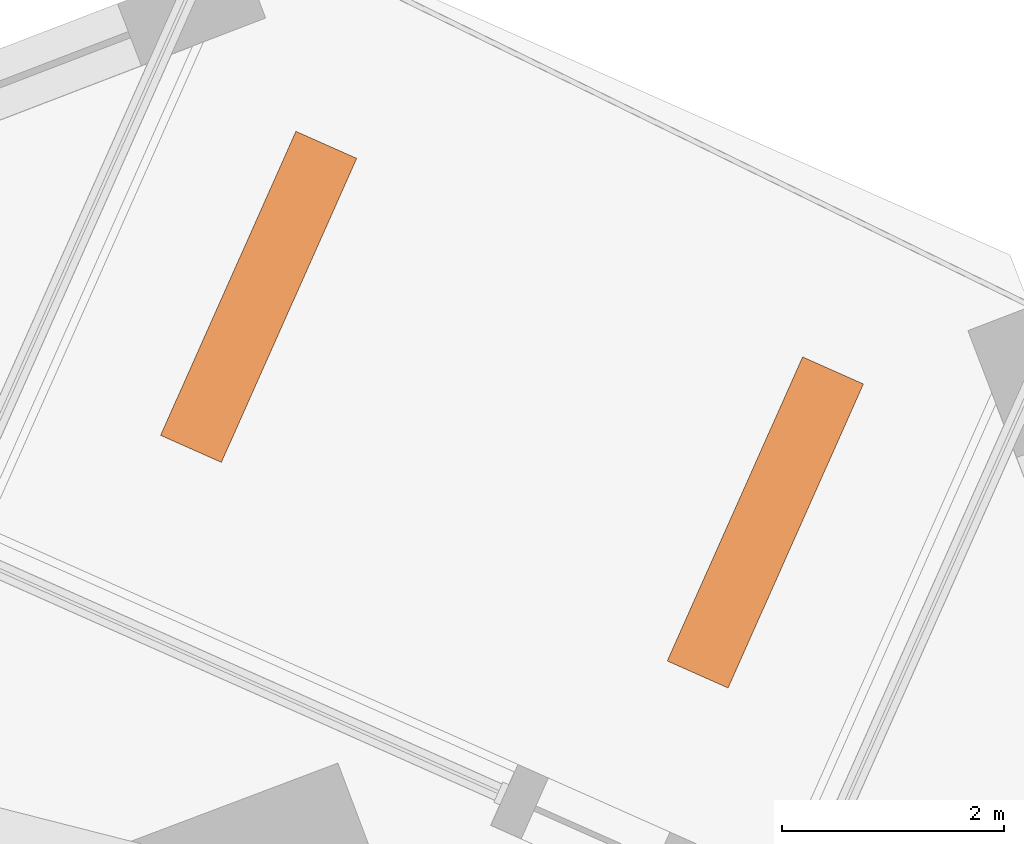
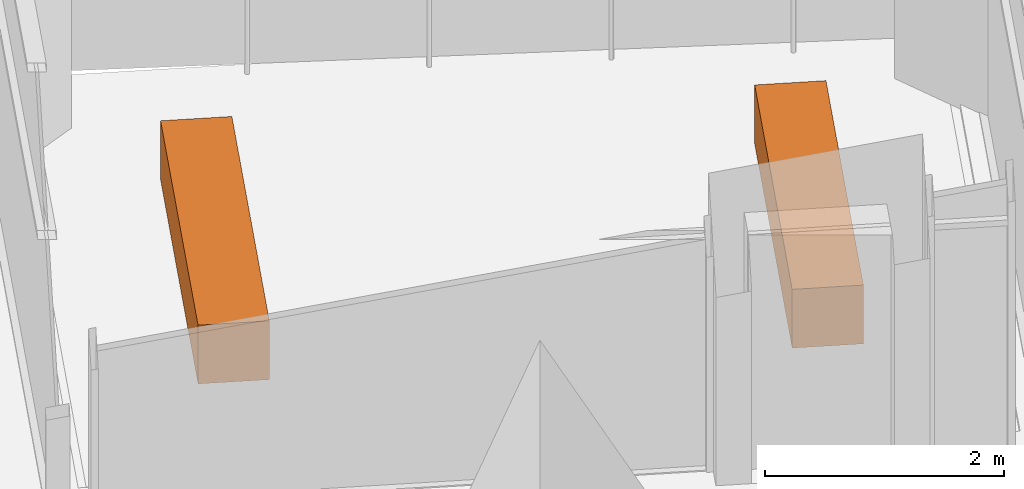
# One storey, part 14 of 14: 2 proxies.
"""IFC4 building model written with IfcOpenShell, lengths in metres."""

from ifc_helpers import new_model, si_unit, direction, frame, origin, origin_2d, place, context, subcontext, project, spatial, rectangle, extrude, element, save


model = new_model("IFC4")

# Units and contexts
model_context = context("Model", 3, precision=1e-05, world=origin(), true_north=direction((0.0, 1.0)))
body_context = subcontext(model_context, "Body", "Model", "MODEL_VIEW")
ifc_project = project(units=[si_unit("LENGTHUNIT", "METRE"), si_unit("AREAUNIT", "SQUARE_METRE"), si_unit("VOLUMEUNIT", "CUBIC_METRE"), si_unit("PLANEANGLEUNIT", "RADIAN"), si_unit("MASSUNIT", "GRAM", prefix="KILO")], contexts=[model_context])

# Site, building, storey
site_placement = place(None, origin())
site = spatial("IfcSite", under=ifc_project, at=site_placement, CompositionType="ELEMENT")
building_placement = place(site_placement, origin())
building = spatial("IfcBuilding", under=site, at=building_placement, Name="Dilmun Exchange Tower", CompositionType="ELEMENT")
storey_placement = place(building_placement, frame((0.0, 0.0, 110.10009765625)))
storey = spatial("IfcBuildingStorey", under=building, at=storey_placement, Name="L25", CompositionType="ELEMENT", Elevation=110.10009765625)

# Proxies
for number, where, z_axis, x_axis, name in (
    (1, (17.55810546875, 29.8125, -0.000244140625), (0.0, 0.0, 1.0), (0.406736643076, 0.913545457643, 0.0), "PLANTER Desert shrub L25.1"),
    (2, (12.990234375, 31.84619140625, -0.000244140625), (0.0, 0.0, 1.0), (0.406736643076, 0.913545457643, 0.0), "PLANTER Desert shrub L25.2"),
):
    element("IfcBuildingElementProxy", number, at=place(storey_placement, frame(where, z_axis=z_axis, x_axis=x_axis)), inside=storey, Name=name, ObjectType="PLANTER", PredefinedType="USERDEFINED", context=body_context, shape_type="SweptSolid", body=[
        extrude(rectangle(XDim=3.0, YDim=0.60009765625, at=origin_2d()), origin(), (0.0, 0.0, 1.0), 0.60009765625),
    ])

save(model, "model.ifc")
